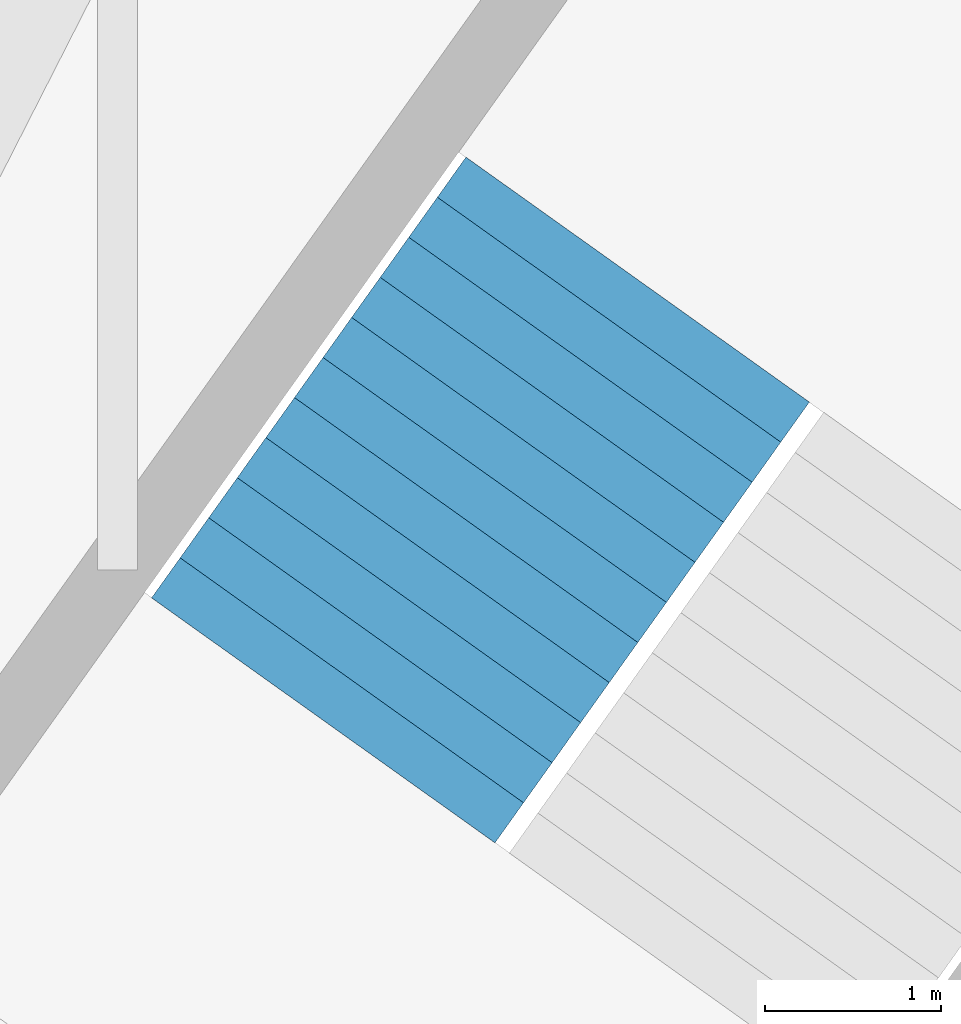
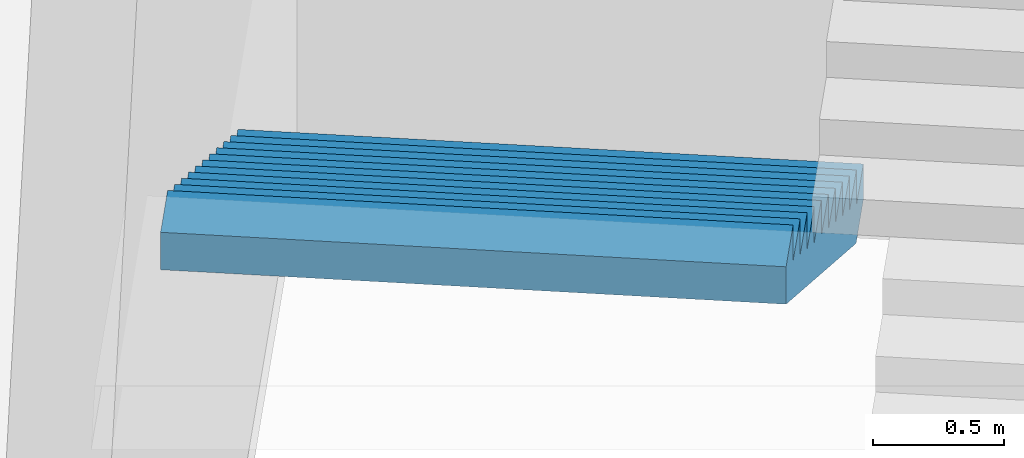
# One storey, part 72 of 74: 1 stair flight, 1 element without a shape of its own.
"""IFC4 building model written with IfcOpenShell, lengths in metres."""

from ifc_helpers import new_model, si_unit, direction, frame, origin, place, context, subcontext, project, spatial, triangles, material, type_object, element, aggregate, save


model = new_model("IFC4")

# Units and contexts
model_context = context("Model", 3, precision=1e-05, world=origin(), true_north=direction((0.0, 1.0)))
body_context = subcontext(model_context, "Body", "Model", "MODEL_VIEW")
ifc_project = project(units=[si_unit("LENGTHUNIT", "METRE"), si_unit("AREAUNIT", "SQUARE_METRE"), si_unit("VOLUMEUNIT", "CUBIC_METRE"), si_unit("PLANEANGLEUNIT", "RADIAN"), si_unit("MASSUNIT", "GRAM", prefix="KILO")], contexts=[model_context])

# Site, building, storey
site_placement = place(None, origin())
site = spatial("IfcSite", under=ifc_project, at=site_placement, CompositionType="ELEMENT")
building_placement = place(site_placement, origin())
building = spatial("IfcBuilding", under=site, at=building_placement, Name="Lantaw Convention Tower", CompositionType="ELEMENT")
storey_placement = place(building_placement, frame((0.0, 0.0, 6.5)))
storey = spatial("IfcBuildingStorey", under=building, at=storey_placement, Name="L01", CompositionType="ELEMENT", Elevation=6.5)

# Stair, stair flight
ifc_material = material(Name="Concrete C35/45", Category="concrete")
stair_type = type_object("IfcStairType", Name="Exit stair 2400 riser 166.67 in 4 flights", PredefinedType="HALF_TURN_STAIR", material=ifc_material)
stair_placement = place(storey_placement, origin())
stair = element("IfcStair", 1, at=stair_placement, inside=storey, type_object=stair_type, Name="Podium exit stair P4 L01", PredefinedType="HALF_TURN_STAIR")
stair_flight_type = type_object("IfcStairFlightType", Name="Stair flight 2400 riser 166.67", PredefinedType="STRAIGHT", material=ifc_material)
stair_flight_placement = place(storey_placement, frame((18.7587890625, 28.451416015625, 2.0), z_axis=(0.0, 0.0, 1.0), x_axis=(-0.580702955711, -0.814115518356, 0.0)))
stair_flight = element("IfcStairFlight", 2, at=stair_flight_placement, type_object=stair_flight_type, Name="P4 flight 2", NumberOfRisers=12, NumberOfTreads=11, PredefinedType="STRAIGHT", RiserHeight=0.166666667, TreadLength=0.28, context=body_context, shape_type="Tessellation", body=[
    triangles([(0.0, 1.199951171875, 0.0), (0.0, 1.199951171875, 0.166666667), (0.28, 1.199951171875, 0.0), (0.28, 1.199951171875, 0.166666667), (0.28, 1.199951171875, 0.333333334), (0.29307345806906726, 1.199951171875, 0.0), (0.29307345806906726, 1.199951171875, 0.333333334), (0.56, 1.199951171875, 0.15888484670522965), (0.56, 1.199951171875, 0.333333334), (0.56, 1.199951171875, 0.500000001), (0.8400000000000001, 1.199951171875, 0.3255515137052296), (0.8400000000000001, 1.199951171875, 0.500000001), (0.8400000000000001, 1.199951171875, 0.666666668), (1.12, 1.199951171875, 0.4922181807052296), (1.12, 1.199951171875, 0.666666668), (1.12, 1.199951171875, 0.833333335), (1.4000000000000001, 1.199951171875, 0.6588848477052296), (1.4000000000000001, 1.199951171875, 0.833333335), (1.4000000000000001, 1.199951171875, 1.000000002), (1.6800000000000002, 1.199951171875, 0.8255515147052296), (1.6800000000000002, 1.199951171875, 1.000000002), (1.6800000000000002, 1.199951171875, 1.166666669), (1.9600000000000002, 1.199951171875, 0.9922181817052296), (1.9600000000000002, 1.199951171875, 1.166666669), (1.9600000000000002, 1.199951171875, 1.333333336), (2.24, 1.199951171875, 1.1588848487052295), (2.24, 1.199951171875, 1.333333336), (2.24, 1.199951171875, 1.5000000029999998), (2.5200000000000005, 1.199951171875, 1.3255515157052296), (2.5200000000000005, 1.199951171875, 1.5000000029999998), (2.5200000000000005, 1.199951171875, 1.66666667), (2.8000000000000003, 1.199951171875, 1.4922181827052294), (2.8000000000000003, 1.199951171875, 1.66666667), (2.8000000000000003, 1.199951171875, 1.833333337), (3.08, 1.199951171875, 1.6588848497052293), (3.08, 1.199951171875, 1.833333337), (0.0, -1.199951171875, 0.0), (0.0, -1.199951171875, 0.166666667), (0.28, -1.199951171875, 0.0), (0.28, -1.199951171875, 0.166666667), (0.28, -1.199951171875, 0.333333334), (0.29307345806906726, -1.199951171875, 0.0), (0.29307345806906726, -1.199951171875, 0.333333334), (0.56, -1.199951171875, 0.15888484670522965), (0.56, -1.199951171875, 0.333333334), (0.56, -1.199951171875, 0.500000001), (0.8400000000000001, -1.199951171875, 0.3255515137052296), (0.8400000000000001, -1.199951171875, 0.500000001), (0.8400000000000001, -1.199951171875, 0.666666668), (1.12, -1.199951171875, 0.4922181807052296), (1.12, -1.199951171875, 0.666666668), (1.12, -1.199951171875, 0.833333335), (1.4000000000000001, -1.199951171875, 0.6588848477052296), (1.4000000000000001, -1.199951171875, 0.833333335), (1.4000000000000001, -1.199951171875, 1.000000002), (1.6800000000000002, -1.199951171875, 0.8255515147052296), (1.6800000000000002, -1.199951171875, 1.000000002), (1.6800000000000002, -1.199951171875, 1.166666669), (1.9600000000000002, -1.199951171875, 0.9922181817052296), (1.9600000000000002, -1.199951171875, 1.166666669), (1.9600000000000002, -1.199951171875, 1.333333336), (2.24, -1.199951171875, 1.1588848487052295), (2.24, -1.199951171875, 1.333333336), (2.24, -1.199951171875, 1.5000000029999998), (2.5200000000000005, -1.199951171875, 1.3255515157052296), (2.5200000000000005, -1.199951171875, 1.5000000029999998), (2.5200000000000005, -1.199951171875, 1.66666667), (2.8000000000000003, -1.199951171875, 1.4922181827052294), (2.8000000000000003, -1.199951171875, 1.66666667), (2.8000000000000003, -1.199951171875, 1.833333337), (3.08, -1.199951171875, 1.6588848497052293), (3.08, -1.199951171875, 1.833333337), (0.0, 0.239990234375, 0.166666667), (0.0, 0.239990234375, 0.0), (0.0, 0.1199951171875, 0.166666667), (0.0, 0.1199951171875, 0.0), (0.0, 0.0, 0.166666667), (0.0, 0.0, 0.0), (0.0, -0.1199951171875, 0.166666667), (0.0, -0.1199951171875, 0.0), (0.0, -0.239990234375, 0.166666667), (0.0, -0.239990234375, 0.0), (0.28, 0.239990234375, 0.333333334), (0.28, 0.239990234375, 0.166666667), (0.28, 0.1199951171875, 0.333333334), (0.28, 0.1199951171875, 0.166666667), (0.28, 0.0, 0.333333334), (0.28, 0.0, 0.166666667), (0.28, -0.1199951171875, 0.333333334), (0.28, -0.1199951171875, 0.166666667), (0.28, -0.239990234375, 0.333333334), (0.28, -0.239990234375, 0.166666667), (0.56, 0.239990234375, 0.500000001), (0.56, 0.239990234375, 0.333333334), (0.56, 0.1199951171875, 0.500000001), (0.56, 0.1199951171875, 0.333333334), (0.56, 0.0, 0.500000001), (0.56, 0.0, 0.333333334), (0.56, -0.1199951171875, 0.500000001), (0.56, -0.1199951171875, 0.333333334), (0.56, -0.239990234375, 0.500000001), (0.56, -0.239990234375, 0.333333334), (0.8400000000000001, 0.239990234375, 0.666666668), (0.8400000000000001, 0.239990234375, 0.500000001), (0.8400000000000001, 0.1199951171875, 0.666666668), (0.8400000000000001, 0.1199951171875, 0.500000001), (0.8400000000000001, 0.0, 0.666666668), (0.8400000000000001, 0.0, 0.500000001), (0.8400000000000001, -0.1199951171875, 0.666666668), (0.8400000000000001, -0.1199951171875, 0.500000001), (0.8400000000000001, -0.239990234375, 0.666666668), (0.8400000000000001, -0.239990234375, 0.500000001), (1.12, 0.239990234375, 0.833333335), (1.12, 0.239990234375, 0.666666668), (1.12, 0.1199951171875, 0.833333335), (1.12, 0.1199951171875, 0.666666668), (1.12, 0.0, 0.833333335), (1.12, 0.0, 0.666666668), (1.12, -0.1199951171875, 0.833333335), (1.12, -0.1199951171875, 0.666666668), (1.12, -0.239990234375, 0.833333335), (1.12, -0.239990234375, 0.666666668), (1.4000000000000001, 0.239990234375, 1.000000002), (1.4000000000000001, 0.239990234375, 0.833333335), (1.4000000000000001, 0.1199951171875, 1.000000002), (1.4000000000000001, 0.1199951171875, 0.833333335), (1.4000000000000001, 0.0, 1.000000002), (1.4000000000000001, 0.0, 0.833333335), (1.4000000000000001, -0.1199951171875, 1.000000002), (1.4000000000000001, -0.1199951171875, 0.833333335), (1.4000000000000001, -0.239990234375, 1.000000002), (1.4000000000000001, -0.239990234375, 0.833333335), (1.6800000000000002, 0.239990234375, 1.166666669), (1.6800000000000002, 0.239990234375, 1.000000002), (1.6800000000000002, 0.1199951171875, 1.166666669), (1.6800000000000002, 0.1199951171875, 1.000000002), (1.6800000000000002, 0.0, 1.166666669), (1.6800000000000002, 0.0, 1.000000002), (1.6800000000000002, -0.1199951171875, 1.166666669), (1.6800000000000002, -0.1199951171875, 1.000000002), (1.6800000000000002, -0.239990234375, 1.166666669), (1.6800000000000002, -0.239990234375, 1.000000002), (1.9600000000000002, 0.239990234375, 1.333333336), (1.9600000000000002, 0.239990234375, 1.166666669), (1.9600000000000002, 0.1199951171875, 1.333333336), (1.9600000000000002, 0.1199951171875, 1.166666669), (1.9600000000000002, 0.0, 1.333333336), (1.9600000000000002, 0.0, 1.166666669), (1.9600000000000002, -0.1199951171875, 1.333333336), (1.9600000000000002, -0.1199951171875, 1.166666669), (1.9600000000000002, -0.239990234375, 1.333333336), (1.9600000000000002, -0.239990234375, 1.166666669), (2.24, 0.239990234375, 1.5000000029999998), (2.24, 0.239990234375, 1.333333336), (2.24, 0.1199951171875, 1.5000000029999998), (2.24, 0.1199951171875, 1.333333336), (2.24, 0.0, 1.5000000029999998), (2.24, 0.0, 1.333333336), (2.24, -0.1199951171875, 1.5000000029999998), (2.24, -0.1199951171875, 1.333333336), (2.24, -0.239990234375, 1.5000000029999998), (2.24, -0.239990234375, 1.333333336), (2.5200000000000005, 0.239990234375, 1.66666667), (2.5200000000000005, 0.239990234375, 1.5000000029999998), (2.5200000000000005, 0.1199951171875, 1.66666667), (2.5200000000000005, 0.1199951171875, 1.5000000029999998), (2.5200000000000005, 0.0, 1.66666667), (2.5200000000000005, 0.0, 1.5000000029999998), (2.5200000000000005, -0.1199951171875, 1.66666667), (2.5200000000000005, -0.1199951171875, 1.5000000029999998), (2.5200000000000005, -0.239990234375, 1.66666667), (2.5200000000000005, -0.239990234375, 1.5000000029999998), (2.8000000000000003, 0.239990234375, 1.833333337), (2.8000000000000003, 0.239990234375, 1.66666667), (2.8000000000000003, 0.1199951171875, 1.833333337), (2.8000000000000003, 0.1199951171875, 1.66666667), (2.8000000000000003, 0.0, 1.833333337), (2.8000000000000003, 0.0, 1.66666667), (2.8000000000000003, -0.1199951171875, 1.833333337), (2.8000000000000003, -0.1199951171875, 1.66666667), (2.8000000000000003, -0.239990234375, 1.833333337), (2.8000000000000003, -0.239990234375, 1.66666667), (0.29307345806906726, 0.239990234375, 0.333333334), (0.29307345806906726, 0.1199951171875, 0.333333334), (0.29307345806906726, 0.0, 0.333333334), (0.29307345806906726, -0.1199951171875, 0.333333334), (0.29307345806906726, -0.239990234375, 0.333333334), (3.08, 0.239990234375, 1.833333337), (3.08, 0.1199951171875, 1.833333337), (3.08, 0.0, 1.833333337), (3.08, -0.1199951171875, 1.833333337), (3.08, -0.239990234375, 1.833333337), (3.08, 0.239990234375, 1.6588848497052293), (3.08, 0.1199951171875, 1.6588848497052293), (3.08, 0.0, 1.6588848497052293), (3.08, -0.1199951171875, 1.6588848497052293), (3.08, -0.239990234375, 1.6588848497052293), (2.8000000000000003, 0.239990234375, 1.4922181827052294), (2.8000000000000003, 0.1199951171875, 1.4922181827052294), (2.8000000000000003, 0.0, 1.4922181827052294), (2.8000000000000003, -0.1199951171875, 1.4922181827052294), (2.8000000000000003, -0.239990234375, 1.4922181827052294), (2.5200000000000005, 0.239990234375, 1.3255515157052296), (2.5200000000000005, 0.1199951171875, 1.3255515157052296), (2.5200000000000005, 0.0, 1.3255515157052296), (2.5200000000000005, -0.1199951171875, 1.3255515157052296), (2.5200000000000005, -0.239990234375, 1.3255515157052296), (2.24, 0.239990234375, 1.1588848487052295), (2.24, 0.1199951171875, 1.1588848487052295), (2.24, 0.0, 1.1588848487052295), (2.24, -0.1199951171875, 1.1588848487052295), (2.24, -0.239990234375, 1.1588848487052295), (1.9600000000000002, 0.239990234375, 0.9922181817052296), (1.9600000000000002, 0.1199951171875, 0.9922181817052296), (1.9600000000000002, 0.0, 0.9922181817052296), (1.9600000000000002, -0.1199951171875, 0.9922181817052296), (1.9600000000000002, -0.239990234375, 0.9922181817052296), (1.6800000000000002, 0.239990234375, 0.8255515147052296), (1.6800000000000002, 0.1199951171875, 0.8255515147052296), (1.6800000000000002, 0.0, 0.8255515147052296), (1.6800000000000002, -0.1199951171875, 0.8255515147052296), (1.6800000000000002, -0.239990234375, 0.8255515147052296), (1.4000000000000001, 0.239990234375, 0.6588848477052296), (1.4000000000000001, 0.1199951171875, 0.6588848477052296), (1.4000000000000001, 0.0, 0.6588848477052296), (1.4000000000000001, -0.1199951171875, 0.6588848477052296), (1.4000000000000001, -0.239990234375, 0.6588848477052296), (1.12, 0.239990234375, 0.4922181807052296), (1.12, 0.1199951171875, 0.4922181807052296), (1.12, 0.0, 0.4922181807052296), (1.12, -0.1199951171875, 0.4922181807052296), (1.12, -0.239990234375, 0.4922181807052296), (0.8400000000000001, 0.239990234375, 0.3255515137052296), (0.8400000000000001, 0.1199951171875, 0.3255515137052296), (0.8400000000000001, 0.0, 0.3255515137052296), (0.8400000000000001, -0.1199951171875, 0.3255515137052296), (0.8400000000000001, -0.239990234375, 0.3255515137052296), (0.56, 0.239990234375, 0.15888484670522965), (0.56, 0.1199951171875, 0.15888484670522965), (0.56, 0.0, 0.15888484670522965), (0.56, -0.1199951171875, 0.15888484670522965), (0.56, -0.239990234375, 0.15888484670522965), (0.29307345806906726, 0.239990234375, 0.0), (0.29307345806906726, 0.1199951171875, 0.0), (0.29307345806906726, 0.0, 0.0), (0.29307345806906726, -0.1199951171875, 0.0), (0.29307345806906726, -0.239990234375, 0.0), (0.28, 0.239990234375, 0.0), (0.28, 0.1199951171875, 0.0), (0.28, 0.0, 0.0), (0.28, -0.1199951171875, 0.0), (0.28, -0.239990234375, 0.0)], [[1, 4, 3], [1, 2, 4], [3, 4, 6], [4, 7, 6], [4, 5, 7], [6, 9, 8], [6, 7, 9], [8, 9, 11], [9, 12, 11], [9, 10, 12], [11, 12, 14], [12, 15, 14], [12, 13, 15], [14, 15, 17], [15, 18, 17], [15, 16, 18], [17, 18, 20], [18, 21, 20], [18, 19, 21], [20, 21, 23], [21, 24, 23], [21, 22, 24], [23, 24, 26], [24, 27, 26], [24, 25, 27], [26, 27, 29], [27, 30, 29], [27, 28, 30], [29, 30, 32], [30, 33, 32], [30, 31, 33], [32, 33, 35], [33, 36, 35], [33, 34, 36], [37, 39, 40], [37, 40, 38], [39, 42, 40], [40, 42, 43], [40, 43, 41], [42, 44, 45], [42, 45, 43], [44, 47, 45], [45, 47, 48], [45, 48, 46], [47, 50, 48], [48, 50, 51], [48, 51, 49], [50, 53, 51], [51, 53, 54], [51, 54, 52], [53, 56, 54], [54, 56, 57], [54, 57, 55], [56, 59, 57], [57, 59, 60], [57, 60, 58], [59, 62, 60], [60, 62, 63], [60, 63, 61], [62, 65, 63], [63, 65, 66], [63, 66, 64], [65, 68, 66], [66, 68, 69], [66, 69, 67], [68, 71, 69], [69, 71, 72], [69, 72, 70], [1, 73, 2], [1, 74, 73], [74, 75, 73], [74, 76, 75], [76, 77, 75], [76, 78, 77], [78, 79, 77], [78, 80, 79], [80, 81, 79], [80, 82, 81], [82, 38, 81], [82, 37, 38], [4, 83, 5], [4, 84, 83], [84, 85, 83], [84, 86, 85], [86, 87, 85], [86, 88, 87], [88, 89, 87], [88, 90, 89], [90, 91, 89], [90, 92, 91], [92, 41, 91], [92, 40, 41], [9, 93, 10], [9, 94, 93], [94, 95, 93], [94, 96, 95], [96, 97, 95], [96, 98, 97], [98, 99, 97], [98, 100, 99], [100, 101, 99], [100, 102, 101], [102, 46, 101], [102, 45, 46], [12, 103, 13], [12, 104, 103], [104, 105, 103], [104, 106, 105], [106, 107, 105], [106, 108, 107], [108, 109, 107], [108, 110, 109], [110, 111, 109], [110, 112, 111], [112, 49, 111], [112, 48, 49], [15, 113, 16], [15, 114, 113], [114, 115, 113], [114, 116, 115], [116, 117, 115], [116, 118, 117], [118, 119, 117], [118, 120, 119], [120, 121, 119], [120, 122, 121], [122, 52, 121], [122, 51, 52], [18, 123, 19], [18, 124, 123], [124, 125, 123], [124, 126, 125], [126, 127, 125], [126, 128, 127], [128, 129, 127], [128, 130, 129], [130, 131, 129], [130, 132, 131], [132, 55, 131], [132, 54, 55], [21, 133, 22], [21, 134, 133], [134, 135, 133], [134, 136, 135], [136, 137, 135], [136, 138, 137], [138, 139, 137], [138, 140, 139], [140, 141, 139], [140, 142, 141], [142, 58, 141], [142, 57, 58], [24, 143, 25], [24, 144, 143], [144, 145, 143], [144, 146, 145], [146, 147, 145], [146, 148, 147], [148, 149, 147], [148, 150, 149], [150, 151, 149], [150, 152, 151], [152, 61, 151], [152, 60, 61], [27, 153, 28], [27, 154, 153], [154, 155, 153], [154, 156, 155], [156, 157, 155], [156, 158, 157], [158, 159, 157], [158, 160, 159], [160, 161, 159], [160, 162, 161], [162, 64, 161], [162, 63, 64], [30, 163, 31], [30, 164, 163], [164, 165, 163], [164, 166, 165], [166, 167, 165], [166, 168, 167], [168, 169, 167], [168, 170, 169], [170, 171, 169], [170, 172, 171], [172, 67, 171], [172, 66, 67], [33, 173, 34], [33, 174, 173], [174, 175, 173], [174, 176, 175], [176, 177, 175], [176, 178, 177], [178, 179, 177], [178, 180, 179], [180, 181, 179], [180, 182, 181], [182, 70, 181], [182, 69, 70], [2, 84, 4], [2, 73, 84], [73, 86, 84], [73, 75, 86], [75, 88, 86], [75, 77, 88], [77, 90, 88], [77, 79, 90], [79, 92, 90], [79, 81, 92], [81, 40, 92], [81, 38, 40], [5, 183, 7], [5, 83, 183], [83, 184, 183], [83, 85, 184], [85, 185, 184], [85, 87, 185], [87, 186, 185], [87, 89, 186], [89, 187, 186], [89, 91, 187], [91, 43, 187], [91, 41, 43], [7, 94, 9], [7, 183, 94], [183, 96, 94], [183, 184, 96], [184, 98, 96], [184, 185, 98], [185, 100, 98], [185, 186, 100], [186, 102, 100], [186, 187, 102], [187, 45, 102], [187, 43, 45], [10, 104, 12], [10, 93, 104], [93, 106, 104], [93, 95, 106], [95, 108, 106], [95, 97, 108], [97, 110, 108], [97, 99, 110], [99, 112, 110], [99, 101, 112], [101, 48, 112], [101, 46, 48], [13, 114, 15], [13, 103, 114], [103, 116, 114], [103, 105, 116], [105, 118, 116], [105, 107, 118], [107, 120, 118], [107, 109, 120], [109, 122, 120], [109, 111, 122], [111, 51, 122], [111, 49, 51], [16, 124, 18], [16, 113, 124], [113, 126, 124], [113, 115, 126], [115, 128, 126], [115, 117, 128], [117, 130, 128], [117, 119, 130], [119, 132, 130], [119, 121, 132], [121, 54, 132], [121, 52, 54], [19, 134, 21], [19, 123, 134], [123, 136, 134], [123, 125, 136], [125, 138, 136], [125, 127, 138], [127, 140, 138], [127, 129, 140], [129, 142, 140], [129, 131, 142], [131, 57, 142], [131, 55, 57], [22, 144, 24], [22, 133, 144], [133, 146, 144], [133, 135, 146], [135, 148, 146], [135, 137, 148], [137, 150, 148], [137, 139, 150], [139, 152, 150], [139, 141, 152], [141, 60, 152], [141, 58, 60], [25, 154, 27], [25, 143, 154], [143, 156, 154], [143, 145, 156], [145, 158, 156], [145, 147, 158], [147, 160, 158], [147, 149, 160], [149, 162, 160], [149, 151, 162], [151, 63, 162], [151, 61, 63], [28, 164, 30], [28, 153, 164], [153, 166, 164], [153, 155, 166], [155, 168, 166], [155, 157, 168], [157, 170, 168], [157, 159, 170], [159, 172, 170], [159, 161, 172], [161, 66, 172], [161, 64, 66], [31, 174, 33], [31, 163, 174], [163, 176, 174], [163, 165, 176], [165, 178, 176], [165, 167, 178], [167, 180, 178], [167, 169, 180], [169, 182, 180], [169, 171, 182], [171, 69, 182], [171, 67, 69], [34, 188, 36], [34, 173, 188], [173, 189, 188], [173, 175, 189], [175, 190, 189], [175, 177, 190], [177, 191, 190], [177, 179, 191], [179, 192, 191], [179, 181, 192], [181, 72, 192], [181, 70, 72], [36, 193, 35], [36, 188, 193], [188, 194, 193], [188, 189, 194], [189, 195, 194], [189, 190, 195], [190, 196, 195], [190, 191, 196], [191, 197, 196], [191, 192, 197], [192, 71, 197], [192, 72, 71], [35, 198, 32], [35, 193, 198], [193, 199, 198], [193, 194, 199], [194, 200, 199], [194, 195, 200], [195, 201, 200], [195, 196, 201], [196, 202, 201], [196, 197, 202], [197, 68, 202], [197, 71, 68], [32, 203, 29], [32, 198, 203], [198, 204, 203], [198, 199, 204], [199, 205, 204], [199, 200, 205], [200, 206, 205], [200, 201, 206], [201, 207, 206], [201, 202, 207], [202, 65, 207], [202, 68, 65], [29, 208, 26], [29, 203, 208], [203, 209, 208], [203, 204, 209], [204, 210, 209], [204, 205, 210], [205, 211, 210], [205, 206, 211], [206, 212, 211], [206, 207, 212], [207, 62, 212], [207, 65, 62], [26, 213, 23], [26, 208, 213], [208, 214, 213], [208, 209, 214], [209, 215, 214], [209, 210, 215], [210, 216, 215], [210, 211, 216], [211, 217, 216], [211, 212, 217], [212, 59, 217], [212, 62, 59], [23, 218, 20], [23, 213, 218], [213, 219, 218], [213, 214, 219], [214, 220, 219], [214, 215, 220], [215, 221, 220], [215, 216, 221], [216, 222, 221], [216, 217, 222], [217, 56, 222], [217, 59, 56], [20, 223, 17], [20, 218, 223], [218, 224, 223], [218, 219, 224], [219, 225, 224], [219, 220, 225], [220, 226, 225], [220, 221, 226], [221, 227, 226], [221, 222, 227], [222, 53, 227], [222, 56, 53], [17, 228, 14], [17, 223, 228], [223, 229, 228], [223, 224, 229], [224, 230, 229], [224, 225, 230], [225, 231, 230], [225, 226, 231], [226, 232, 231], [226, 227, 232], [227, 50, 232], [227, 53, 50], [14, 233, 11], [14, 228, 233], [228, 234, 233], [228, 229, 234], [229, 235, 234], [229, 230, 235], [230, 236, 235], [230, 231, 236], [231, 237, 236], [231, 232, 237], [232, 47, 237], [232, 50, 47], [11, 238, 8], [11, 233, 238], [233, 239, 238], [233, 234, 239], [234, 240, 239], [234, 235, 240], [235, 241, 240], [235, 236, 241], [236, 242, 241], [236, 237, 242], [237, 44, 242], [237, 47, 44], [8, 243, 6], [8, 238, 243], [238, 244, 243], [238, 239, 244], [239, 245, 244], [239, 240, 245], [240, 246, 245], [240, 241, 246], [241, 247, 246], [241, 242, 247], [242, 42, 247], [242, 44, 42], [6, 248, 3], [6, 243, 248], [243, 249, 248], [243, 244, 249], [244, 250, 249], [244, 245, 250], [245, 251, 250], [245, 246, 251], [246, 252, 251], [246, 247, 252], [247, 39, 252], [247, 42, 39], [3, 74, 1], [3, 248, 74], [248, 76, 74], [248, 249, 76], [249, 78, 76], [249, 250, 78], [250, 80, 78], [250, 251, 80], [251, 82, 80], [251, 252, 82], [252, 37, 82], [252, 39, 37]], closed=True),
])
aggregate(stair, [stair_flight])

save(model, "model.ifc")
